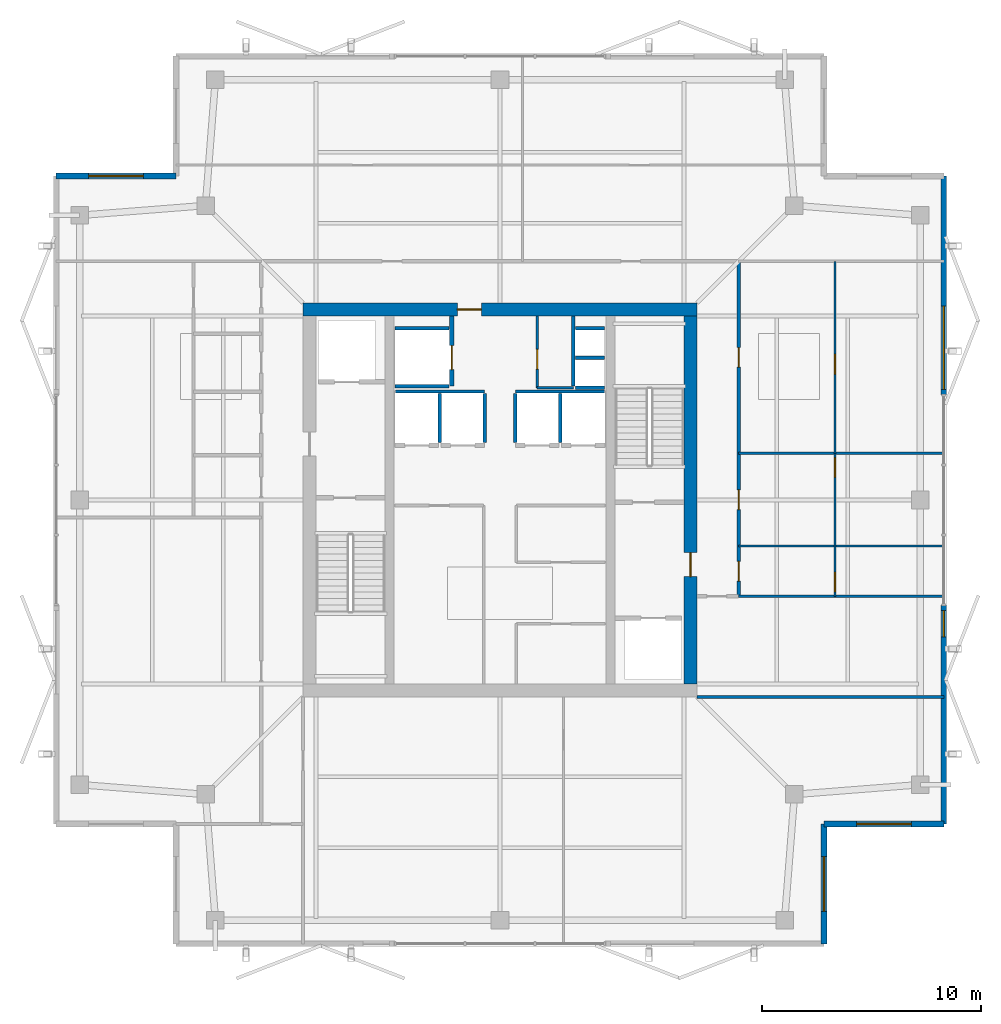
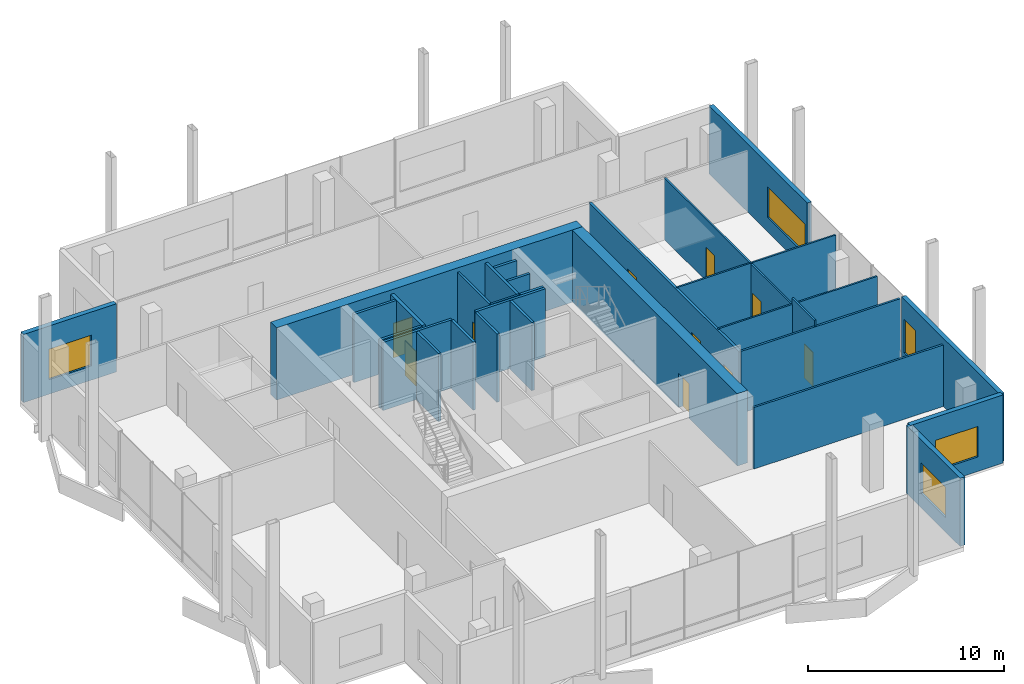
# One storey, part 13 of 15: 30 walls, 10 doors, 5 windows, 15 openings.
"""IFC4 building model written with IfcOpenShell, lengths in metres."""

from ifc_helpers import new_model, si_unit, direction, frame, frame_2d, origin, place, context, subcontext, project, spatial, rectangle, extrude, material, layer, layer_set, type_object, element, fill, save


model = new_model("IFC4")

# Units and contexts
model_context = context("Model", 3, precision=1e-05, world=origin(), true_north=direction((0.0, 1.0)))
body_context = subcontext(model_context, "Body", "Model", "MODEL_VIEW")
ifc_project = project(units=[si_unit("LENGTHUNIT", "METRE"), si_unit("AREAUNIT", "SQUARE_METRE"), si_unit("VOLUMEUNIT", "CUBIC_METRE"), si_unit("PLANEANGLEUNIT", "RADIAN"), si_unit("MASSUNIT", "GRAM", prefix="KILO")], contexts=[model_context])

# Site, building, storey
site_placement = place(None, origin())
site = spatial("IfcSite", under=ifc_project, at=site_placement, CompositionType="ELEMENT")
building_placement = place(site_placement, origin())
building = spatial("IfcBuilding", under=site, at=building_placement, Name="Belovzor Exchange Tower", CompositionType="ELEMENT")
storey_placement = place(building_placement, frame((0.0, 0.0, 360.0)))
storey = spatial("IfcBuildingStorey", under=building, at=storey_placement, Name="L90", CompositionType="ELEMENT", Elevation=360.0)

# Walls
ifc_material_1 = material(Name="Acoustic Plasterboard on Galvanised Studs", Category="gypsum")
ifc_layer_1 = layer(ifc_material_1, 0.1201171875)
ifc_layer_set_1 = layer_set([ifc_layer_1], Name="Acoustic Plasterboard on Galvanised Studs")
wall_type_1 = type_object("IfcWallType", Name="Acoustic Double-Stud Partition Wall 120", PredefinedType="PARTITIONING", material=ifc_layer_set_1)
wall_1_placement = place(storey_placement, frame((37.800048828125, 19.800048828125, 0.0), z_axis=(0.0, 0.0, 1.0), x_axis=(1.0, 0.0, 0.0)))
element("IfcWall", 1, at=wall_1_placement, inside=storey, type_object=wall_type_1, Name="W-P120 Partition Wall W-L90-ESS", PredefinedType="PARTITIONING", context=body_context, shape_type="SweptSolid", body=[
    extrude(rectangle(XDim=11.27001953125, YDim=0.1201171875, at=frame_2d((5.635009765625, 0.0))), origin(), (0.0, 0.0, 1.0), 3.824951171875),
])
wall_2_placement = place(storey_placement, frame((39.699951171875, 24.39990234375, 0.0), z_axis=(0.0, 0.0, 1.0), x_axis=(1.0, 0.0, 0.0)))
element("IfcWall", 2, at=wall_2_placement, inside=storey, type_object=wall_type_1, Name="W-P120 Partition Wall W-L90-ESN", PredefinedType="PARTITIONING", context=body_context, shape_type="SweptSolid", body=[
    extrude(rectangle(XDim=9.3701171875, YDim=0.1201171875, at=frame_2d((4.68505859375, 0.0))), origin(), (0.0, 0.0, 1.0), 3.864990234375),
])

# Wall, opening, door
ifc_material_2 = material(Name="Acoustic Laminated Glass and Aluminium", Category="aluminium")
ifc_layer_2 = layer(ifc_material_2, 0.10009765625)
ifc_layer_set_2 = layer_set([ifc_layer_2], Name="Acoustic Laminated Glass and Aluminium")
wall_type_2 = type_object("IfcWallType", Name="Demountable Executive Glass Partition 100", PredefinedType="MOVABLE", material=ifc_layer_set_2)
wall_3_placement = place(storey_placement, frame((44.09912109375, 24.39990234375, 0.0), z_axis=(0.0, 0.0, 1.0), x_axis=(0.0, 1.0, 0.0)))
wall_3 = element("IfcWall", 3, at=wall_3_placement, inside=storey, type_object=wall_type_2, Name="W-M100 Partition Wall W-L90-EHDIV-0", PredefinedType="MOVABLE", context=body_context, shape_type="SweptSolid", body=[
    extrude(rectangle(XDim=2.300048828125, YDim=0.10009765625, at=frame_2d((1.14990234375, 0.0))), origin(), (0.0, 0.0, 1.0), 4.239990234375),
])
opening_1_placement = place(wall_3_placement, frame((0.199951171875, 0.0, 0.0)))
opening_1 = element("IfcOpeningElement", 4, at=opening_1_placement, cuts=wall_3, Name="Opening D-INT-090", PredefinedType="OPENING", context=body_context, shape_type="SweptSolid", body=[
    extrude(rectangle(XDim=0.89990234375, YDim=2.10009765625, at=frame_2d((0.449951171875, 1.050048828125))), frame((0.0, 0.06005859375, 0.0), z_axis=(0.0, -1.0, 0.0), x_axis=(1.0, 0.0, 0.0)), (0.0, 0.0, 1.0), 0.1201171875),
])
ifc_material_3 = material(Name="Veneered Hardwood Acoustic Leaf", Category="wood")
door_type_1 = type_object("IfcDoorType", Name="Trading Suite Acoustic Single Door 900x2100", OperationType="NOTDEFINED", PredefinedType="DOOR", material=ifc_material_3)
door_1_placement = place(opening_1_placement, origin())
door_1 = element("IfcDoor", 5, at=door_1_placement, inside=storey, type_object=door_type_1, Name="D-INT-090 Trading Suite Acoustic Single Door 900x2100", OperationType="SINGLE_SWING_RIGHT", OverallHeight=2.10009765625, OverallWidth=0.89990234375, PredefinedType="DOOR", context=body_context, shape_type="SweptSolid", body=[
    extrude(rectangle(XDim=0.89990234375, YDim=2.10009765625, at=frame_2d((0.449951171875, 1.050048828125))), frame((0.0, 0.02490234375, 0.0), z_axis=(0.0, -1.0, 0.0), x_axis=(1.0, 0.0, 0.0)), (0.0, 0.0, 1.0), 0.050048828125),
])
fill(opening_1, door_1)

# Wall
wall_4_placement = place(storey_placement, frame((39.699951171875, 26.699951171875, 0.0), z_axis=(0.0, 0.0, 1.0), x_axis=(1.0, 0.0, 0.0)))
element("IfcWall", 6, at=wall_4_placement, inside=storey, type_object=wall_type_2, Name="W-M100 Partition Wall W-L90-EDIV-1", PredefinedType="MOVABLE", context=body_context, shape_type="SweptSolid", body=[
    extrude(rectangle(XDim=9.3701171875, YDim=0.10009765625, at=frame_2d((4.68505859375, 0.0))), origin(), (0.0, 0.0, 1.0), 3.864990234375),
])

# Wall, opening, door
wall_5_placement = place(storey_placement, frame((44.09912109375, 26.699951171875, 0.0), z_axis=(0.0, 0.0, 1.0), x_axis=(0.0, 1.0, 0.0)))
wall_5 = element("IfcWall", 7, at=wall_5_placement, inside=storey, type_object=wall_type_2, Name="W-M100 Partition Wall W-L90-EHDIV-1", PredefinedType="MOVABLE", context=body_context, shape_type="SweptSolid", body=[
    extrude(rectangle(XDim=4.23095703125, YDim=0.10009765625, at=frame_2d((2.115478515625, 0.0))), origin(), (0.0, 0.0, 1.0), 3.824951171875),
])
opening_2_placement = place(wall_5_placement, frame((3.131103515625, 0.0, 0.0)))
opening_2 = element("IfcOpeningElement", 8, at=opening_2_placement, cuts=wall_5, Name="Opening D-INT-090", PredefinedType="OPENING", context=body_context, shape_type="SweptSolid", body=[
    extrude(rectangle(XDim=0.89990234375, YDim=2.10009765625, at=frame_2d((0.449951171875, 1.050048828125))), frame((0.0, 0.06005859375, 0.0), z_axis=(0.0, -1.0, 0.0), x_axis=(1.0, 0.0, 0.0)), (0.0, 0.0, 1.0), 0.1201171875),
])
door_2_placement = place(opening_2_placement, origin())
door_2 = element("IfcDoor", 9, at=door_2_placement, inside=storey, type_object=door_type_1, Name="D-INT-090 Trading Suite Acoustic Single Door 900x2100", OperationType="SINGLE_SWING_RIGHT", OverallHeight=2.10009765625, OverallWidth=0.89990234375, PredefinedType="DOOR", context=body_context, shape_type="SweptSolid", body=[
    extrude(rectangle(XDim=0.89990234375, YDim=2.10009765625, at=frame_2d((0.449951171875, 1.050048828125))), frame((0.0, 0.02490234375, 0.0), z_axis=(0.0, -1.0, 0.0), x_axis=(1.0, 0.0, 0.0)), (0.0, 0.0, 1.0), 0.050048828125),
])
fill(opening_2, door_2)

# Wall
wall_6_placement = place(storey_placement, frame((39.699951171875, 30.930908203125, 0.0), z_axis=(0.0, 0.0, 1.0), x_axis=(1.0, 0.0, 0.0)))
element("IfcWall", 10, at=wall_6_placement, inside=storey, type_object=wall_type_2, Name="W-M100 Partition Wall W-L90-EDIV-2", PredefinedType="MOVABLE", context=body_context, shape_type="SweptSolid", body=[
    extrude(rectangle(XDim=9.3701171875, YDim=0.10009765625, at=frame_2d((4.68505859375, 0.0))), origin(), (0.0, 0.0, 1.0), 3.864990234375),
])

# Wall, opening, door
wall_7_placement = place(storey_placement, frame((44.09912109375, 30.930908203125, 0.0), z_axis=(0.0, 0.0, 1.0), x_axis=(0.0, 1.0, 0.0)))
wall_7 = element("IfcWall", 11, at=wall_7_placement, inside=storey, type_object=wall_type_2, Name="W-M100 Partition Wall W-L90-EHDIV-2", PredefinedType="MOVABLE", context=body_context, shape_type="SweptSolid", body=[
    extrude(rectangle(XDim=8.76904296875, YDim=0.10009765625, at=frame_2d((4.384521484375, 0.0))), origin(), (0.0, 0.0, 1.0), 3.824951171875),
])
opening_3_placement = place(wall_7_placement, frame((3.623046875, 0.0, 0.0)))
opening_3 = element("IfcOpeningElement", 12, at=opening_3_placement, cuts=wall_7, Name="Opening D-INT-090", PredefinedType="OPENING", context=body_context, shape_type="SweptSolid", body=[
    extrude(rectangle(XDim=0.89990234375, YDim=2.10009765625, at=frame_2d((0.449951171875, 1.050048828125))), frame((0.0, 0.06005859375, 0.0), z_axis=(0.0, -1.0, 0.0), x_axis=(1.0, 0.0, 0.0)), (0.0, 0.0, 1.0), 0.1201171875),
])
door_3_placement = place(opening_3_placement, origin())
door_3 = element("IfcDoor", 13, at=door_3_placement, inside=storey, type_object=door_type_1, Name="D-INT-090 Trading Suite Acoustic Single Door 900x2100", OperationType="SINGLE_SWING_RIGHT", OverallHeight=2.10009765625, OverallWidth=0.89990234375, PredefinedType="DOOR", context=body_context, shape_type="SweptSolid", body=[
    extrude(rectangle(XDim=0.89990234375, YDim=2.10009765625, at=frame_2d((0.449951171875, 1.050048828125))), frame((0.0, 0.02490234375, 0.0), z_axis=(0.0, -1.0, 0.0), x_axis=(1.0, 0.0, 0.0)), (0.0, 0.0, 1.0), 0.050048828125),
])
fill(opening_3, door_3)

ifc_material_4 = material(Name="Fire-Rated Plasterboard on Galvanised Studs", Category="gypsum")
ifc_layer_3 = layer(ifc_material_4, 0.1201171875)
ifc_layer_set_3 = layer_set([ifc_layer_3], Name="Fire-Rated Plasterboard on Galvanised Studs")
wall_type_3 = type_object("IfcWallType", Name="Fire-Rated Double-Stud Partition Wall 120", PredefinedType="PARTITIONING", material=ifc_layer_set_3)
wall_8_placement = place(storey_placement, frame((30.5, 33.925048828125, 0.0), z_axis=(0.0, 0.0, 1.0), x_axis=(0.0, 1.0, 0.0)))
wall_8 = element("IfcWall", 14, at=wall_8_placement, inside=storey, type_object=wall_type_3, Name="W-P120F Partition Wall W-CRV-L90-W", PredefinedType="PARTITIONING", context=body_context, shape_type="SweptSolid", body=[
    extrude(rectangle(XDim=3.27490234375, YDim=0.1201171875, at=frame_2d((1.637451171875, 0.0))), origin(), (0.0, 0.0, 1.0), 4.239990234375),
])
opening_4_placement = place(wall_8_placement, frame((0.85009765625, 0.0, 0.0)))
opening_4 = element("IfcOpeningElement", 15, at=opening_4_placement, cuts=wall_8, Name="Opening D-FD60-090", PredefinedType="OPENING", context=body_context, shape_type="SweptSolid", body=[
    extrude(rectangle(XDim=0.89990234375, YDim=2.10009765625, at=frame_2d((0.449951171875, 1.050048828125))), frame((0.0, 0.070068359375, 0.0), z_axis=(0.0, -1.0, 0.0), x_axis=(1.0, 0.0, 0.0)), (0.0, 0.0, 1.0), 0.14013671875),
])
ifc_material_5 = material(Name="Acoustic Timber Fire Leaf", Category="wood")
door_type_2 = type_object("IfcDoorType", Name="Core Service & Restroom Fire Door 900x2100", OperationType="NOTDEFINED", PredefinedType="DOOR", material=ifc_material_5)
door_4_placement = place(opening_4_placement, origin())
door_4 = element("IfcDoor", 16, at=door_4_placement, inside=storey, type_object=door_type_2, Name="D-FD60-090 Core Service & Restroom Fire Door 900x2100", OperationType="SINGLE_SWING_LEFT", OverallHeight=2.10009765625, OverallWidth=0.89990234375, PredefinedType="DOOR", context=body_context, shape_type="SweptSolid", body=[
    extrude(rectangle(XDim=0.89990234375, YDim=2.10009765625, at=frame_2d((0.449951171875, 1.050048828125))), frame((0.0, 0.02490234375, 0.0), z_axis=(0.0, -1.0, 0.0), x_axis=(1.0, 0.0, 0.0)), (0.0, 0.0, 1.0), 0.050048828125),
])
fill(opening_4, door_4)

# Wall
wall_9_placement = place(storey_placement, frame((30.5, 33.925048828125, 0.0), z_axis=(0.0, 0.0, 1.0), x_axis=(1.0, 0.0, 0.0)))
element("IfcWall", 17, at=wall_9_placement, inside=storey, type_object=wall_type_3, Name="W-P120F Partition Wall W-CRV-L90-S", PredefinedType="PARTITIONING", context=body_context, shape_type="SweptSolid", body=[
    extrude(rectangle(XDim=1.64990234375, YDim=0.1201171875, at=frame_2d((0.824951171875, 0.0))), origin(), (0.0, 0.0, 1.0), 4.239990234375),
])

# Wall, openings, doors
ifc_material_6 = material(Name="Fire-Rated Gypsum Block and Mineral Wool", Category="gypsum")
ifc_layer_4 = layer(ifc_material_6, 0.14990234375)
ifc_layer_set_4 = layer_set([ifc_layer_4], Name="Fire-Rated Gypsum Block and Mineral Wool")
wall_type_4 = type_object("IfcWallType", Name="Fire-Rated Gypsum Block Corridor Wall 150", PredefinedType="PARTITIONING", material=ifc_layer_set_4)
wall_10_placement = place(storey_placement, frame((39.699951171875, 24.39990234375, 0.0), z_axis=(0.0, 0.0, 1.0), x_axis=(0.0, 1.0, 0.0)))
wall_10 = element("IfcWall", 18, at=wall_10_placement, inside=storey, type_object=wall_type_4, Name="W-P150 Partition Wall W-L90-CE", PredefinedType="PARTITIONING", context=body_context, shape_type="SweptSolid", body=[
    extrude(rectangle(XDim=15.300048828125, YDim=0.14990234375, at=frame_2d((7.64990234375, 0.0))), origin(), (0.0, 0.0, 1.0), 3.824951171875),
])
opening_5_placement = place(wall_10_placement, frame((0.699951171875, 0.0, 0.0)))
opening_5 = element("IfcOpeningElement", 19, at=opening_5_placement, cuts=wall_10, Name="Opening D-INT-090", PredefinedType="OPENING", context=body_context, shape_type="SweptSolid", body=[
    extrude(rectangle(XDim=0.89990234375, YDim=2.10009765625, at=frame_2d((0.449951171875, 1.050048828125))), frame((0.0, 0.0849609375, 0.0), z_axis=(0.0, -1.0, 0.0), x_axis=(1.0, 0.0, 0.0)), (0.0, 0.0, 1.0), 0.169921875),
])
opening_6_placement = place(wall_10_placement, frame((3.966064453125, 0.0, 0.0)))
opening_6 = element("IfcOpeningElement", 20, at=opening_6_placement, cuts=wall_10, Name="Opening D-INT-090", PredefinedType="OPENING", context=body_context, shape_type="SweptSolid", body=[
    extrude(rectangle(XDim=0.89990234375, YDim=2.10009765625, at=frame_2d((0.449951171875, 1.050048828125))), frame((0.0, 0.0849609375, 0.0), z_axis=(0.0, -1.0, 0.0), x_axis=(1.0, 0.0, 0.0)), (0.0, 0.0, 1.0), 0.169921875),
])
opening_7_placement = place(wall_10_placement, frame((10.465087890625, 0.0, 0.0)))
opening_7 = element("IfcOpeningElement", 21, at=opening_7_placement, cuts=wall_10, Name="Opening D-INT-090", PredefinedType="OPENING", context=body_context, shape_type="SweptSolid", body=[
    extrude(rectangle(XDim=0.89990234375, YDim=2.10009765625, at=frame_2d((0.449951171875, 1.050048828125))), frame((0.0, 0.0849609375, 0.0), z_axis=(0.0, -1.0, 0.0), x_axis=(1.0, 0.0, 0.0)), (0.0, 0.0, 1.0), 0.169921875),
])
door_5_placement = place(opening_5_placement, origin())
door_5 = element("IfcDoor", 22, at=door_5_placement, inside=storey, type_object=door_type_1, Name="D-INT-090 Trading Suite Acoustic Single Door 900x2100", OperationType="SINGLE_SWING_RIGHT", OverallHeight=2.10009765625, OverallWidth=0.89990234375, PredefinedType="DOOR", context=body_context, shape_type="SweptSolid", body=[
    extrude(rectangle(XDim=0.89990234375, YDim=2.10009765625, at=frame_2d((0.449951171875, 1.050048828125))), frame((0.0, 0.02490234375, 0.0), z_axis=(0.0, -1.0, 0.0), x_axis=(1.0, 0.0, 0.0)), (0.0, 0.0, 1.0), 0.050048828125),
])
fill(opening_5, door_5)
door_6_placement = place(opening_6_placement, origin())
door_6 = element("IfcDoor", 23, at=door_6_placement, inside=storey, type_object=door_type_1, Name="D-INT-090 Trading Suite Acoustic Single Door 900x2100", OperationType="SINGLE_SWING_LEFT", OverallHeight=2.10009765625, OverallWidth=0.89990234375, PredefinedType="DOOR", context=body_context, shape_type="SweptSolid", body=[
    extrude(rectangle(XDim=0.89990234375, YDim=2.10009765625, at=frame_2d((0.449951171875, 1.050048828125))), frame((0.0, 0.02490234375, 0.0), z_axis=(0.0, -1.0, 0.0), x_axis=(1.0, 0.0, 0.0)), (0.0, 0.0, 1.0), 0.050048828125),
])
fill(opening_6, door_6)
door_7_placement = place(opening_7_placement, origin())
door_7 = element("IfcDoor", 24, at=door_7_placement, inside=storey, type_object=door_type_1, Name="D-INT-090 Trading Suite Acoustic Single Door 900x2100", OperationType="SINGLE_SWING_RIGHT", OverallHeight=2.10009765625, OverallWidth=0.89990234375, PredefinedType="DOOR", context=body_context, shape_type="SweptSolid", body=[
    extrude(rectangle(XDim=0.89990234375, YDim=2.10009765625, at=frame_2d((0.449951171875, 1.050048828125))), frame((0.0, 0.02490234375, 0.0), z_axis=(0.0, -1.0, 0.0), x_axis=(1.0, 0.0, 0.0)), (0.0, 0.0, 1.0), 0.050048828125),
])
fill(opening_7, door_7)

# Wall, opening, window
ifc_material_7 = material(Name="Precast concrete C40/50", Category="concrete")
ifc_layer_5 = layer(ifc_material_7, 0.280029296875)
ifc_layer_set_5 = layer_set([ifc_layer_5], Name="Precast concrete C40/50")
wall_type_5 = type_object("IfcWallType", Name="Precast Concrete Notched Corner Frame Wall 280", PredefinedType="SOLIDWALL", material=ifc_layer_set_5)
wall_11_placement = place(storey_placement, frame((8.530029296875, 43.60009765625, 0.0), z_axis=(0.0, 0.0, 1.0), x_axis=(1.0, 0.0, 0.0)))
wall_11 = element("IfcWall", 25, at=wall_11_placement, inside=storey, type_object=wall_type_5, Name="W-CRN280 Precast Concrete Notched Corner Frame Wall 280 L90", PredefinedType="SOLIDWALL", context=body_context, shape_type="SweptSolid", body=[
    extrude(rectangle(XDim=5.469970703125, YDim=0.280029296875, at=frame_2d((2.73486328125, 0.0))), origin(), (0.0, 0.0, 1.0), 4.239990234375),
])
opening_8_placement = place(wall_11_placement, frame((1.485107421875, 0.0, 0.89990234375)))
opening_8 = element("IfcOpeningElement", 26, at=opening_8_placement, cuts=wall_11, Name="Opening WN-CRN250", PredefinedType="OPENING", context=body_context, shape_type="SweptSolid", body=[
    extrude(rectangle(XDim=2.5, YDim=1.89990234375, at=frame_2d((1.25, 0.949951171875))), frame((0.0, 0.14990234375, 0.0), z_axis=(0.0, -1.0, 0.0), x_axis=(1.0, 0.0, 0.0)), (0.0, 0.0, 1.0), 0.300048828125),
])
ifc_material_8 = material(Name="Thermally Broken Aluminium and Triple Glazing", Category="aluminium")
window_type_1 = type_object("IfcWindowType", Name="Streamline Moderne Corner Wrap Ribbon Window 2500x1900", PartitioningType="SINGLE_PANEL", PredefinedType="WINDOW", material=ifc_material_8)
window_1_placement = place(opening_8_placement, origin())
window_1 = element("IfcWindow", 27, at=window_1_placement, inside=storey, type_object=window_type_1, Name="WN-CRN250 Streamline Moderne Corner Wrap Ribbon Window 2500x1900", OverallHeight=1.89990234375, OverallWidth=2.5, PartitioningType="SINGLE_PANEL", PredefinedType="WINDOW", context=body_context, shape_type="SweptSolid", body=[
    extrude(rectangle(XDim=2.5, YDim=1.89990234375, at=frame_2d((1.25, 0.949951171875))), frame((0.0, 0.030029296875, 0.0), z_axis=(0.0, -1.0, 0.0), x_axis=(1.0, 0.0, 0.0)), (0.0, 0.0, 1.0), 0.06005859375),
])
fill(opening_8, window_1)

wall_12_placement = place(storey_placement, frame((49.070068359375, 14.0, 0.0), z_axis=(0.0, 0.0, 1.0), x_axis=(-1.0, 0.0, 0.0)))
wall_12 = element("IfcWall", 28, at=wall_12_placement, inside=storey, type_object=wall_type_5, Name="W-CRN280 Precast Concrete Notched Corner Frame Wall 280 L90", PredefinedType="SOLIDWALL", context=body_context, shape_type="SweptSolid", body=[
    extrude(rectangle(XDim=5.469970703125, YDim=0.280029296875, at=frame_2d((2.73486328125, 0.0))), origin(), (0.0, 0.0, 1.0), 4.239990234375),
])
opening_9_placement = place(wall_12_placement, frame((1.485107421875, 0.0, 0.89990234375)))
opening_9 = element("IfcOpeningElement", 29, at=opening_9_placement, cuts=wall_12, Name="Opening WN-CRN250", PredefinedType="OPENING", context=body_context, shape_type="SweptSolid", body=[
    extrude(rectangle(XDim=2.5, YDim=1.89990234375, at=frame_2d((1.25, 0.949951171875))), frame((0.0, 0.14990234375, 0.0), z_axis=(0.0, -1.0, 0.0), x_axis=(1.0, 0.0, 0.0)), (0.0, 0.0, 1.0), 0.300048828125),
])
window_2_placement = place(opening_9_placement, origin())
window_2 = element("IfcWindow", 30, at=window_2_placement, inside=storey, type_object=window_type_1, Name="WN-CRN250 Streamline Moderne Corner Wrap Ribbon Window 2500x1900", OverallHeight=1.89990234375, OverallWidth=2.5, PartitioningType="SINGLE_PANEL", PredefinedType="WINDOW", context=body_context, shape_type="SweptSolid", body=[
    extrude(rectangle(XDim=2.5, YDim=1.89990234375, at=frame_2d((1.25, 0.949951171875))), frame((0.0, 0.030029296875, 0.0), z_axis=(0.0, -1.0, 0.0), x_axis=(1.0, 0.0, 0.0)), (0.0, 0.0, 1.0), 0.06005859375),
])
fill(opening_9, window_2)

wall_13_placement = place(storey_placement, frame((43.60009765625, 14.0, 0.0), z_axis=(0.0, 0.0, 1.0), x_axis=(0.0, -1.0, 0.0)))
wall_13 = element("IfcWall", 31, at=wall_13_placement, inside=storey, type_object=wall_type_5, Name="W-CRN280 Precast Concrete Notched Corner Frame Wall 280 L90", PredefinedType="SOLIDWALL", context=body_context, shape_type="SweptSolid", body=[
    extrude(rectangle(XDim=5.469970703125, YDim=0.280029296875, at=frame_2d((2.73486328125, 0.0))), origin(), (0.0, 0.0, 1.0), 4.239990234375),
])
opening_10_placement = place(wall_13_placement, frame((1.485107421875, 0.0, 0.89990234375)))
opening_10 = element("IfcOpeningElement", 32, at=opening_10_placement, cuts=wall_13, Name="Opening WN-CRN250", PredefinedType="OPENING", context=body_context, shape_type="SweptSolid", body=[
    extrude(rectangle(XDim=2.5, YDim=1.89990234375, at=frame_2d((1.25, 0.949951171875))), frame((0.0, 0.14990234375, 0.0), z_axis=(0.0, -1.0, 0.0), x_axis=(1.0, 0.0, 0.0)), (0.0, 0.0, 1.0), 0.300048828125),
])
window_3_placement = place(opening_10_placement, origin())
window_3 = element("IfcWindow", 33, at=window_3_placement, inside=storey, type_object=window_type_1, Name="WN-CRN250 Streamline Moderne Corner Wrap Ribbon Window 2500x1900", OverallHeight=1.89990234375, OverallWidth=2.5, PartitioningType="SINGLE_PANEL", PredefinedType="WINDOW", context=body_context, shape_type="SweptSolid", body=[
    extrude(rectangle(XDim=2.5, YDim=1.89990234375, at=frame_2d((1.25, 0.949951171875))), frame((0.0, 0.030029296875, 0.0), z_axis=(0.0, -1.0, 0.0), x_axis=(1.0, 0.0, 0.0)), (0.0, 0.0, 1.0), 0.06005859375),
])
fill(opening_10, window_3)

ifc_material_9 = material(Name="Precast concrete C40/50", Category="concrete")
ifc_layer_6 = layer(ifc_material_9, 0.260009765625)
ifc_layer_set_6 = layer_set([ifc_layer_6], Name="Precast concrete C40/50")
wall_type_6 = type_object("IfcWallType", Name="Precast Concrete Perimeter Loggia Frame Wall 260", PredefinedType="SOLIDWALL", material=ifc_layer_set_6)
wall_14_placement = place(storey_placement, frame((49.070068359375, 43.60009765625, 0.0), z_axis=(0.0, 0.0, 1.0), x_axis=(0.0, -1.0, 0.0)))
wall_14 = element("IfcWall", 34, at=wall_14_placement, inside=storey, type_object=wall_type_6, Name="W-EXT260 Precast Concrete Perimeter Loggia Frame Wall 260 L90", PredefinedType="SOLIDWALL", context=body_context, shape_type="SweptSolid", body=[
    extrude(rectangle(XDim=10.0, YDim=0.260009765625, at=frame_2d((5.0, 0.0))), origin(), (0.0, 0.0, 1.0), 4.239990234375),
])
opening_11_placement = place(wall_14_placement, frame((5.949951171875, 0.0, 0.89990234375)))
opening_11 = element("IfcOpeningElement", 35, at=opening_11_placement, cuts=wall_14, Name="Opening WN-RIB380", PredefinedType="OPENING", context=body_context, shape_type="SweptSolid", body=[
    extrude(rectangle(XDim=3.800048828125, YDim=1.89990234375, at=frame_2d((1.89990234375, 0.949951171875))), frame((0.0, 0.139892578125, 0.0), z_axis=(0.0, -1.0, 0.0), x_axis=(1.0, 0.0, 0.0)), (0.0, 0.0, 1.0), 0.280029296875),
])
ifc_material_10 = material(Name="Thermally Broken Aluminium and Triple Glazing", Category="aluminium")
window_type_2 = type_object("IfcWindowType", Name="Streamline Moderne Horizontal Ribbon Window 3800x1900", PartitioningType="SINGLE_PANEL", PredefinedType="WINDOW", material=ifc_material_10)
window_4_placement = place(opening_11_placement, origin())
window_4 = element("IfcWindow", 36, at=window_4_placement, inside=storey, type_object=window_type_2, Name="WN-RIB380 Streamline Moderne Horizontal Ribbon Window 3800x1900", OverallHeight=1.89990234375, OverallWidth=3.800048828125, PartitioningType="SINGLE_PANEL", PredefinedType="WINDOW", context=body_context, shape_type="SweptSolid", body=[
    extrude(rectangle(XDim=3.800048828125, YDim=1.89990234375, at=frame_2d((1.89990234375, 0.949951171875))), frame((0.0, 0.030029296875, 0.0), z_axis=(0.0, -1.0, 0.0), x_axis=(1.0, 0.0, 0.0)), (0.0, 0.0, 1.0), 0.06005859375),
])
fill(opening_11, window_4)

wall_15_placement = place(storey_placement, frame((49.070068359375, 24.0, 0.0), z_axis=(0.0, 0.0, 1.0), x_axis=(0.0, -1.0, 0.0)))
wall_15 = element("IfcWall", 37, at=wall_15_placement, inside=storey, type_object=wall_type_6, Name="W-EXT260 Precast Concrete Perimeter Loggia Frame Wall 260 L90", PredefinedType="SOLIDWALL", context=body_context, shape_type="SweptSolid", body=[
    extrude(rectangle(XDim=10.0, YDim=0.260009765625, at=frame_2d((5.0, 0.0))), origin(), (0.0, 0.0, 1.0), 4.239990234375),
])
opening_12_placement = place(wall_15_placement, frame((0.25, 0.0, 0.89990234375)))
opening_12 = element("IfcOpeningElement", 38, at=opening_12_placement, cuts=wall_15, Name="Opening WN-CRN120", PredefinedType="OPENING", context=body_context, shape_type="SweptSolid", body=[
    extrude(rectangle(XDim=1.199951171875, YDim=2.10009765625, at=frame_2d((0.60009765625, 1.050048828125))), frame((0.0, 0.139892578125, 0.0), z_axis=(0.0, -1.0, 0.0), x_axis=(1.0, 0.0, 0.0)), (0.0, 0.0, 1.0), 0.280029296875),
])
ifc_material_11 = material(Name="Thermally Broken Aluminium and Triple Glazing", Category="aluminium")
window_type_3 = type_object("IfcWindowType", Name="Streamline Notched Corner Window 1200x2100", PartitioningType="SINGLE_PANEL", PredefinedType="WINDOW", material=ifc_material_11)
window_5_placement = place(opening_12_placement, origin())
window_5 = element("IfcWindow", 39, at=window_5_placement, inside=storey, type_object=window_type_3, Name="WN-CRN120 Streamline Notched Corner Window 1200x2100", OverallHeight=2.10009765625, OverallWidth=1.199951171875, PartitioningType="SINGLE_PANEL", PredefinedType="WINDOW", context=body_context, shape_type="SweptSolid", body=[
    extrude(rectangle(XDim=1.199951171875, YDim=2.10009765625, at=frame_2d((0.60009765625, 1.050048828125))), frame((0.0, 0.030029296875, 0.0), z_axis=(0.0, -1.0, 0.0), x_axis=(1.0, 0.0, 0.0)), (0.0, 0.0, 1.0), 0.06005859375),
])
fill(opening_12, window_5)

# Walls
ifc_material_12 = material(Name="Concrete C50/60", Category="concrete")
ifc_layer_7 = layer(ifc_material_12, 0.14990234375)
ifc_layer_set_7 = layer_set([ifc_layer_7], Name="Concrete C50/60")
wall_type_7 = type_object("IfcWallType", Name="Reinforced Concrete Core Riser Shear Wall 150", PredefinedType="SHEAR", material=ifc_layer_set_7)
wall_16_placement = place(storey_placement, frame((32.14990234375, 34.0, 0.0), z_axis=(0.0, 0.0, 1.0), x_axis=(0.0, 1.0, 0.0)))
element("IfcWall", 40, at=wall_16_placement, inside=storey, type_object=wall_type_7, Name="W-C150S Core Shaft Wall W-RSR-L90-E", PredefinedType="SHEAR", context=body_context, shape_type="SweptSolid", body=[
    extrude(rectangle(XDim=3.199951171875, YDim=0.14990234375, at=frame_2d((1.60009765625, 0.0))), origin(), (0.0, 0.0, 1.0), 4.239990234375),
])
for number, where, z_axis, x_axis, name in (
    (41, (32.25, 33.925048828125, 0.0), (0.0, 0.0, 1.0), (1.0, 0.0, 0.0), "W-C150S Core Shaft Wall W-RSR-L90-S"),
    (42, (32.25, 35.300048828125, 0.0), (0.0, 0.0, 1.0), (1.0, 0.0, 0.0), "W-C150S Core Shaft Wall W-RSR-L90-M"),
):
    element("IfcWall", number, at=place(storey_placement, frame(where, z_axis=z_axis, x_axis=x_axis)), inside=storey, type_object=wall_type_7, Name=name, PredefinedType="SHEAR", context=body_context, shape_type="SweptSolid", body=[
        extrude(rectangle(XDim=1.330078125, YDim=0.14990234375, at=frame_2d((0.6650390625, 0.0))), origin(), (0.0, 0.0, 1.0), 4.239990234375),
    ])
for number, where, z_axis, x_axis, name in (
    (43, (24.0, 34.0, 0.0), (0.0, 0.0, 1.0), (1.0, 0.0, 0.0), "W-C150S Core Shaft Wall W-SH-L90-SL-01S"),
    (44, (24.0, 36.64990234375, 0.0), (0.0, 0.0, 1.0), (1.0, 0.0, 0.0), "W-C150S Core Shaft Wall W-SH-L90-SL-01N"),
):
    element("IfcWall", number, at=place(storey_placement, frame(where, z_axis=z_axis, x_axis=x_axis)), inside=storey, type_object=wall_type_7, Name=name, PredefinedType="SHEAR", context=body_context, shape_type="SweptSolid", body=[
        extrude(rectangle(XDim=2.47998046875, YDim=0.14990234375, at=frame_2d((1.239990234375, 0.0))), origin(), (0.0, 0.0, 1.0), 4.239990234375),
    ])
wall_17_placement = place(storey_placement, frame((32.25, 36.64990234375, 0.0), z_axis=(0.0, 0.0, 1.0), x_axis=(1.0, 0.0, 0.0)))
element("IfcWall", 45, at=wall_17_placement, inside=storey, type_object=wall_type_7, Name="W-C150S Core Shaft Wall W-RSR-L90-N", PredefinedType="SHEAR", context=body_context, shape_type="SweptSolid", body=[
    extrude(rectangle(XDim=1.330078125, YDim=0.14990234375, at=frame_2d((0.6650390625, 0.0))), origin(), (0.0, 0.0, 1.0), 4.239990234375),
])
for number, where, z_axis, x_axis, name in (
    (46, (24.02001953125, 33.760009765625, 0.0), (0.0, 0.0, 1.0), (1.0, 0.0, 0.0), "W-C150S Core Shaft Wall W-SHB-L90-PLH-NW"),
    (47, (29.5, 33.760009765625, 0.0), (0.0, 0.0, 1.0), (1.0, 0.0, 0.0), "W-C150S Core Shaft Wall W-SHB-L90-PLH-NE"),
):
    element("IfcWall", number, at=place(storey_placement, frame(where, z_axis=z_axis, x_axis=x_axis)), inside=storey, type_object=wall_type_7, Name=name, PredefinedType="SHEAR", context=body_context, shape_type="SweptSolid", body=[
        extrude(rectangle(XDim=4.080078125, YDim=0.14990234375, at=frame_2d((2.0400390625, 0.0))), origin(), (0.0, 0.0, 1.0), 4.239990234375),
    ])
for number, where, z_axis, x_axis, name in (
    (48, (26.050048828125, 31.419921875, 0.0), (0.0, 0.0, 1.0), (0.0, 1.0, 0.0), "W-C150S Core Shaft Wall W-SHD-L90-PLH-1"),
    (49, (28.10009765625, 31.419921875, 0.0), (0.0, 0.0, 1.0), (0.0, 1.0, 0.0), "W-C150S Core Shaft Wall W-SHD-L90-PLH-2"),
    (50, (29.5, 31.419921875, 0.0), (0.0, 0.0, 1.0), (0.0, 1.0, 0.0), "W-C150S Core Shaft Wall W-SHD-L90-PLH-3"),
    (51, (31.550048828125, 31.419921875, 0.0), (0.0, 0.0, 1.0), (0.0, 1.0, 0.0), "W-C150S Core Shaft Wall W-SHD-L90-PLH-4"),
):
    element("IfcWall", number, at=place(storey_placement, frame(where, z_axis=z_axis, x_axis=x_axis)), inside=storey, type_object=wall_type_7, Name=name, PredefinedType="SHEAR", context=body_context, shape_type="SweptSolid", body=[
        extrude(rectangle(XDim=2.239990234375, YDim=0.14990234375, at=frame_2d((1.1201171875, 0.0))), origin(), (0.0, 0.0, 1.0), 4.239990234375),
    ])

# Wall, opening, door
ifc_material_13 = material(Name="Concrete C50/60", Category="concrete")
ifc_layer_8 = layer(ifc_material_13, 0.199951171875)
ifc_layer_set_8 = layer_set([ifc_layer_8], Name="Concrete C50/60")
wall_type_8 = type_object("IfcWallType", Name="Reinforced Concrete Core Shaft Shear Wall 200", PredefinedType="SHEAR", material=ifc_layer_set_8)
wall_18_placement = place(storey_placement, frame((26.60009765625, 34.0, 0.0), z_axis=(0.0, 0.0, 1.0), x_axis=(0.0, 1.0, 0.0)))
wall_18 = element("IfcWall", 52, at=wall_18_placement, inside=storey, type_object=wall_type_8, Name="W-C200S Core Shaft Wall W-SH-L90-SL-01", PredefinedType="SHEAR", context=body_context, shape_type="SweptSolid", body=[
    extrude(rectangle(XDim=3.199951171875, YDim=0.199951171875, at=frame_2d((1.60009765625, 0.0))), origin(), (0.0, 0.0, 1.0), 4.239990234375),
])
opening_13_placement = place(wall_18_placement, frame((0.75, 0.0, 0.0)))
opening_13 = element("IfcOpeningElement", 53, at=opening_13_placement, cuts=wall_18, Name="Opening LD-110", PredefinedType="OPENING", context=body_context, shape_type="SweptSolid", body=[
    extrude(rectangle(XDim=1.10009765625, YDim=2.14990234375, at=frame_2d((0.550048828125, 1.074951171875))), frame((0.0, 0.10986328125, 0.0), z_axis=(0.0, -1.0, 0.0), x_axis=(1.0, 0.0, 0.0)), (0.0, 0.0, 1.0), 0.219970703125),
])
ifc_material_14 = material(Name="Stainless Steel Grade 304", Category="steel")
door_type_3 = type_object("IfcDoorType", Name="Automated Stainless Steel Lift Landing Door 1100x2150", OperationType="SLIDING_TO_RIGHT", PredefinedType="DOOR", material=ifc_material_14)
door_8_placement = place(opening_13_placement, origin())
door_8 = element("IfcDoor", 54, at=door_8_placement, inside=storey, type_object=door_type_3, Name="LD-110 Automated Stainless Steel Lift Landing Door 1100x2150", OperationType="SLIDING_TO_RIGHT", OverallHeight=2.14990234375, OverallWidth=1.10009765625, PredefinedType="DOOR", context=body_context, shape_type="SweptSolid", body=[
    extrude(rectangle(XDim=1.10009765625, YDim=2.14990234375, at=frame_2d((0.550048828125, 1.074951171875))), frame((0.0, 0.02490234375, 0.0), z_axis=(0.0, -1.0, 0.0), x_axis=(1.0, 0.0, 0.0)), (0.0, 0.0, 1.0), 0.050048828125),
])
fill(opening_13, door_8)

ifc_material_15 = material(Name="Concrete C50/60", Category="concrete")
ifc_layer_9 = layer(ifc_material_15, 0.60009765625)
ifc_layer_set_9 = layer_set([ifc_layer_9], Name="Concrete C50/60")
wall_type_9 = type_object("IfcWallType", Name="Reinforced Concrete Core Shear Wall 600", PredefinedType="SHEAR", material=ifc_layer_set_9)
wall_19_placement = place(storey_placement, frame((19.800048828125, 37.5, 0.0), z_axis=(0.0, 0.0, 1.0), x_axis=(1.0, 0.0, 0.0)))
wall_19 = element("IfcWall", 55, at=wall_19_placement, inside=storey, type_object=wall_type_9, Name="CW-S060 Core Shear Wall L90 N", PredefinedType="SHEAR", context=body_context, shape_type="SweptSolid", body=[
    extrude(rectangle(XDim=18.0, YDim=0.60009765625, at=frame_2d((9.0, 0.0))), origin(), (0.0, 0.0, 1.0), 4.5),
])
opening_14_placement = place(wall_19_placement, frame((7.050048828125, 0.0, 0.0)))
opening_14 = element("IfcOpeningElement", 56, at=opening_14_placement, cuts=wall_19, Name="Opening D-FD90-110", PredefinedType="OPENING", context=body_context, shape_type="SweptSolid", body=[
    extrude(rectangle(XDim=1.10009765625, YDim=2.14990234375, at=frame_2d((0.550048828125, 1.074951171875))), frame((0.0, 0.31005859375, 0.0), z_axis=(0.0, -1.0, 0.0), x_axis=(1.0, 0.0, 0.0)), (0.0, 0.0, 1.0), 0.6201171875),
])
ifc_material_16 = material(Name="Fire-Rated Galvanised Steel Leaf", Category="steel")
door_type_4 = type_object("IfcDoorType", Name="Protected Escape Vestibule Fire Door 1100x2150", OperationType="NOTDEFINED", PredefinedType="DOOR", material=ifc_material_16)
door_9_placement = place(opening_14_placement, origin())
door_9 = element("IfcDoor", 57, at=door_9_placement, inside=storey, type_object=door_type_4, Name="D-FD90-110 Protected Escape Vestibule Fire Door 1100x2150", OperationType="SINGLE_SWING_LEFT", OverallHeight=2.14990234375, OverallWidth=1.10009765625, PredefinedType="DOOR", context=body_context, shape_type="SweptSolid", body=[
    extrude(rectangle(XDim=1.10009765625, YDim=2.14990234375, at=frame_2d((0.550048828125, 1.074951171875))), frame((0.0, 0.02490234375, 0.0), z_axis=(0.0, -1.0, 0.0), x_axis=(1.0, 0.0, 0.0)), (0.0, 0.0, 1.0), 0.050048828125),
])
fill(opening_14, door_9)

wall_20_placement = place(storey_placement, frame((37.5, 20.39990234375, 0.0), z_axis=(0.0, 0.0, 1.0), x_axis=(0.0, 1.0, 0.0)))
wall_20 = element("IfcWall", 58, at=wall_20_placement, inside=storey, type_object=wall_type_9, Name="CW-S060 Core Shear Wall L90 E", PredefinedType="SHEAR", context=body_context, shape_type="SweptSolid", body=[
    extrude(rectangle(XDim=16.800048828125, YDim=0.60009765625, at=frame_2d((8.39990234375, 0.0))), origin(), (0.0, 0.0, 1.0), 4.5),
])
opening_15_placement = place(wall_20_placement, frame((4.89990234375, 0.0, 0.0)))
opening_15 = element("IfcOpeningElement", 59, at=opening_15_placement, cuts=wall_20, Name="Opening D-FD90-110", PredefinedType="OPENING", context=body_context, shape_type="SweptSolid", body=[
    extrude(rectangle(XDim=1.10009765625, YDim=2.14990234375, at=frame_2d((0.550048828125, 1.074951171875))), frame((0.0, 0.31005859375, 0.0), z_axis=(0.0, -1.0, 0.0), x_axis=(1.0, 0.0, 0.0)), (0.0, 0.0, 1.0), 0.6201171875),
])
door_10_placement = place(opening_15_placement, origin())
door_10 = element("IfcDoor", 60, at=door_10_placement, inside=storey, type_object=door_type_4, Name="D-FD90-110 Protected Escape Vestibule Fire Door 1100x2150", OperationType="SINGLE_SWING_RIGHT", OverallHeight=2.14990234375, OverallWidth=1.10009765625, PredefinedType="DOOR", context=body_context, shape_type="SweptSolid", body=[
    extrude(rectangle(XDim=1.10009765625, YDim=2.14990234375, at=frame_2d((0.550048828125, 1.074951171875))), frame((0.0, 0.02490234375, 0.0), z_axis=(0.0, -1.0, 0.0), x_axis=(1.0, 0.0, 0.0)), (0.0, 0.0, 1.0), 0.050048828125),
])
fill(opening_15, door_10)

save(model, "model.ifc")
